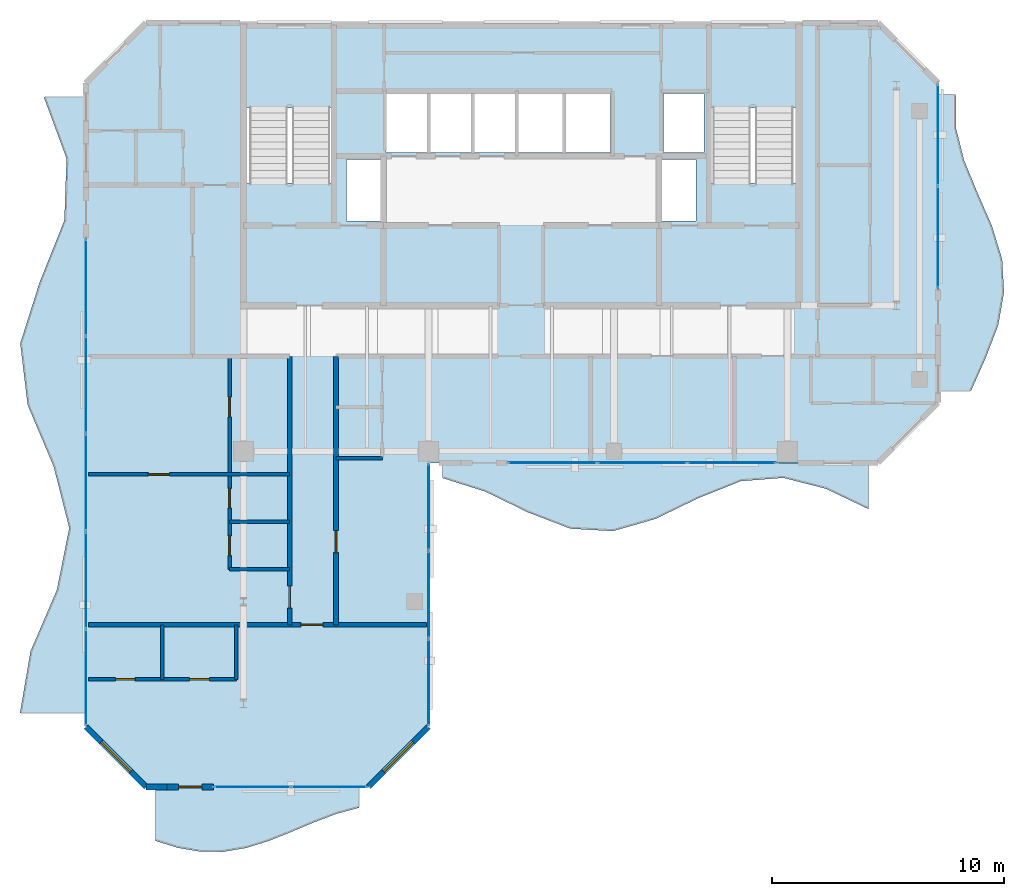
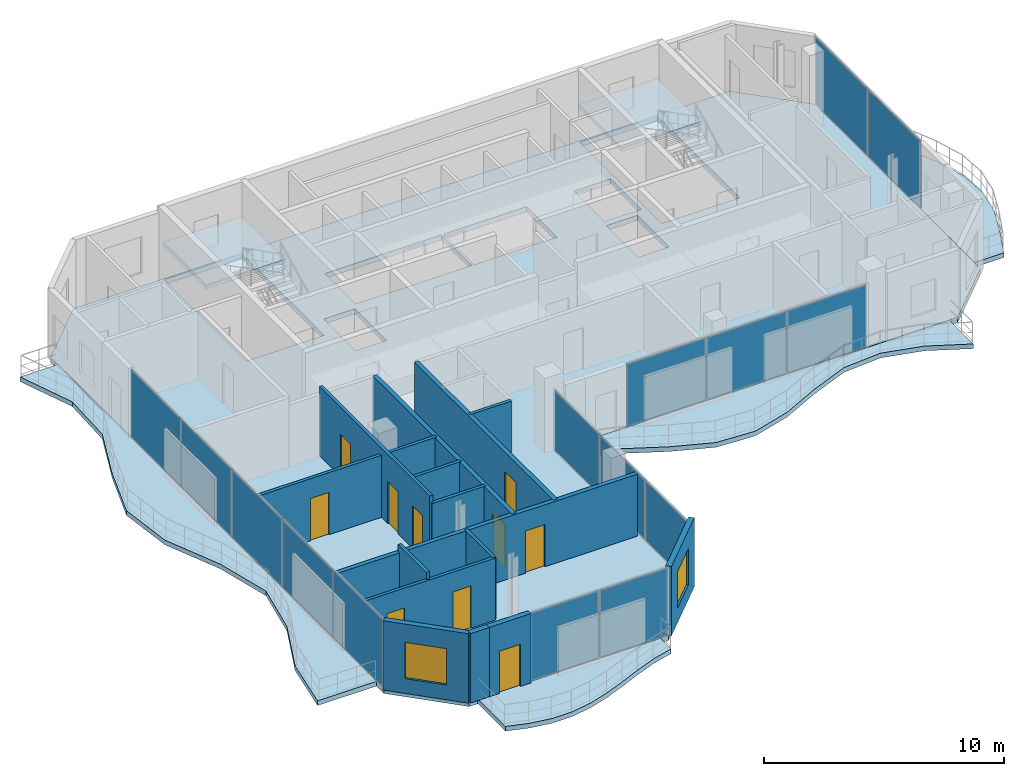
# One storey, part 12 of 17: 15 plates, 15 walls, 10 doors, 7 slabs, 2 windows, 12 openings, 7 elements without a shape of their own.
"""IFC4 building model written with IfcOpenShell, lengths in metres."""

from ifc_helpers import new_model, si_unit, direction, frame, frame_2d, origin, origin_2d, place, context, subcontext, project, spatial, polyline, rectangle, outline, extrude, material, layer, layer_set, type_object, element, fill, aggregate, save


model = new_model("IFC4")

# Units and contexts
model_context = context("Model", 3, precision=1e-05, world=origin(), true_north=direction((0.0, 1.0)))
body_context = subcontext(model_context, "Body", "Model", "MODEL_VIEW")
ifc_project = project(units=[si_unit("LENGTHUNIT", "METRE"), si_unit("AREAUNIT", "SQUARE_METRE"), si_unit("VOLUMEUNIT", "CUBIC_METRE"), si_unit("PLANEANGLEUNIT", "RADIAN"), si_unit("MASSUNIT", "GRAM", prefix="KILO")], contexts=[model_context])

# Site, building, storey
site_placement = place(None, origin())
site = spatial("IfcSite", under=ifc_project, at=site_placement, CompositionType="ELEMENT")
building_placement = place(site_placement, origin())
building = spatial("IfcBuilding", under=site, at=building_placement, Name="Catumbela Crestline Tower", CompositionType="ELEMENT")
storey_placement = place(building_placement, frame((0.0, 0.0, 267.8)))
storey = spatial("IfcBuildingStorey", under=building, at=storey_placement, Name="L69", CompositionType="ELEMENT", Elevation=267.8)

# Curtain wall, plates
ifc_material_1 = material(Name="Aluminium alloy AW-6060-T66", Category="aluminium")
ifc_layer_1 = layer(ifc_material_1, 0.18, Name="Aluminium alloy AW-6060-T66")
ifc_layer_set_1 = layer_set([ifc_layer_1], Name="Aluminium alloy AW-6060-T66")
curtain_wall_type = type_object("IfcCurtainWallType", Name="CWU-Z4", PredefinedType="USERDEFINED", material=ifc_layer_set_1)
curtain_wall_1_placement = place(storey_placement, origin())
curtain_wall_1 = element("IfcCurtainWall", 1, at=curtain_wall_1_placement, inside=storey, type_object=curtain_wall_type, Name="L69 Unitised Curtain Wall CW-L69-E0S2", ObjectType="UNITISED", PredefinedType="USERDEFINED")
ifc_material_2 = material(Name="Low-E laminated solar-control double glazing", Category="glass")
ifc_layer_2 = layer(ifc_material_2, 0.036, Name="Low-E laminated solar-control double glazing")
ifc_layer_set_2 = layer_set([ifc_layer_2], Name="Low-E laminated solar-control double glazing")
plate_type = type_object("IfcPlateType", Name="PNL-GLZ-Z4", PredefinedType="CURTAIN_PANEL", material=ifc_layer_set_2)
plate_1_placement = place(storey_placement, frame((16.3912, 10.0, 0.06), z_axis=(0.0, 0.0, 1.0), x_axis=(1.0, 0.0, 0.0)))
plate_1 = element("IfcPlate", 2, at=plate_1_placement, type_object=plate_type, Name="CWU-Z4 panel 1.1", PredefinedType="CURTAIN_PANEL", context=body_context, shape_type="SweptSolid", body=[
    extrude(rectangle(XDim=3.2525, YDim=0.034, at=origin_2d()), origin(), (0.0, 0.0, 1.0), 3.41),
])
plate_2_placement = place(storey_placement, frame((19.7087, 10.0, 0.06), z_axis=(0.0, 0.0, 1.0), x_axis=(1.0, 0.0, 0.0)))
plate_2 = element("IfcPlate", 3, at=plate_2_placement, type_object=plate_type, Name="CWU-Z4 panel 2.1", PredefinedType="CURTAIN_PANEL", context=body_context, shape_type="SweptSolid", body=[
    extrude(rectangle(XDim=3.2525, YDim=0.034, at=origin_2d()), origin(), (0.0, 0.0, 1.0), 3.41),
])
aggregate(curtain_wall_1, [plate_1, plate_2])

curtain_wall_2_placement = place(storey_placement, origin())
curtain_wall_2 = element("IfcCurtainWall", 4, at=curtain_wall_2_placement, inside=storey, type_object=curtain_wall_type, Name="L69 Unitised Curtain Wall CW-L69-E2S1", ObjectType="UNITISED", PredefinedType="USERDEFINED")
plate_3_placement = place(storey_placement, frame((24.0, 14.5162, 0.06), z_axis=(0.0, 0.0, 1.0), x_axis=(0.0, 1.0, 0.0)))
plate_3 = element("IfcPlate", 5, at=plate_3_placement, type_object=plate_type, Name="CWU-Z4 panel 1.1", PredefinedType="CURTAIN_PANEL", context=body_context, shape_type="SweptSolid", body=[
    extrude(rectangle(XDim=3.7025, YDim=0.034, at=origin_2d()), origin(), (0.0, 0.0, 1.0), 3.04),
])
plate_4_placement = place(storey_placement, frame((24.0, 18.3, 0.06), z_axis=(0.0, 0.0, 1.0), x_axis=(0.0, 1.0, 0.0)))
plate_4 = element("IfcPlate", 6, at=plate_4_placement, type_object=plate_type, Name="CWU-Z4 panel 2.1", PredefinedType="CURTAIN_PANEL", context=body_context, shape_type="SweptSolid", body=[
    extrude(rectangle(XDim=3.735, YDim=0.034, at=origin_2d()), origin(), (0.0, 0.0, 1.0), 3.04),
])
plate_5_placement = place(storey_placement, frame((24.0, 22.0837, 0.06), z_axis=(0.0, 0.0, 1.0), x_axis=(0.0, 1.0, 0.0)))
plate_5 = element("IfcPlate", 7, at=plate_5_placement, type_object=plate_type, Name="CWU-Z4 panel 3.1", PredefinedType="CURTAIN_PANEL", context=body_context, shape_type="SweptSolid", body=[
    extrude(rectangle(XDim=3.7025, YDim=0.034, at=origin_2d()), origin(), (0.0, 0.0, 1.0), 3.04),
])
aggregate(curtain_wall_2, [plate_3, plate_4, plate_5])

curtain_wall_3_placement = place(storey_placement, origin())
curtain_wall_3 = element("IfcCurtainWall", 8, at=curtain_wall_3_placement, inside=storey, type_object=curtain_wall_type, Name="L69 Unitised Curtain Wall CW-L69-E3S2", ObjectType="UNITISED", PredefinedType="USERDEFINED")
plate_6_placement = place(storey_placement, frame((29.3579, 24.0, 0.06), z_axis=(0.0, 0.0, 1.0), x_axis=(1.0, 0.0, 0.0)))
plate_6 = element("IfcPlate", 9, at=plate_6_placement, type_object=plate_type, Name="CWU-Z4 panel 1.1", PredefinedType="CURTAIN_PANEL", context=body_context, shape_type="SweptSolid", body=[
    extrude(rectangle(XDim=3.7858, YDim=0.034, at=origin_2d()), origin(), (0.0, 0.0, 1.0), 3.15),
])
plate_7_placement = place(storey_placement, frame((33.225, 24.0, 0.06), z_axis=(0.0, 0.0, 1.0), x_axis=(1.0, 0.0, 0.0)))
plate_7 = element("IfcPlate", 10, at=plate_7_placement, type_object=plate_type, Name="CWU-Z4 panel 2.1", PredefinedType="CURTAIN_PANEL", context=body_context, shape_type="SweptSolid", body=[
    extrude(rectangle(XDim=3.8183, YDim=0.034, at=origin_2d()), origin(), (0.0, 0.0, 1.0), 3.15),
])
plate_8_placement = place(storey_placement, frame((37.0921, 24.0, 0.06), z_axis=(0.0, 0.0, 1.0), x_axis=(1.0, 0.0, 0.0)))
plate_8 = element("IfcPlate", 11, at=plate_8_placement, type_object=plate_type, Name="CWU-Z4 panel 3.1", PredefinedType="CURTAIN_PANEL", context=body_context, shape_type="SweptSolid", body=[
    extrude(rectangle(XDim=3.7858, YDim=0.034, at=origin_2d()), origin(), (0.0, 0.0, 1.0), 3.15),
])
aggregate(curtain_wall_3, [plate_6, plate_7, plate_8])

curtain_wall_4_placement = place(storey_placement, origin())
curtain_wall_4 = element("IfcCurtainWall", 12, at=curtain_wall_4_placement, inside=storey, type_object=curtain_wall_type, Name="L69 Unitised Curtain Wall CW-L69-E5S2", ObjectType="UNITISED", PredefinedType="USERDEFINED")
plate_9_placement = place(storey_placement, frame((46.0, 33.7412, 0.06), z_axis=(0.0, 0.0, 1.0), x_axis=(0.0, 1.0, 0.0)))
plate_9 = element("IfcPlate", 13, at=plate_9_placement, type_object=plate_type, Name="CWU-Z4 panel 1.1", PredefinedType="CURTAIN_PANEL", context=body_context, shape_type="SweptSolid", body=[
    extrude(rectangle(XDim=4.3525, YDim=0.034, at=origin_2d()), origin(), (0.0, 0.0, 1.0), 3.41),
])
plate_10_placement = place(storey_placement, frame((46.0, 38.1588, 0.06), z_axis=(0.0, 0.0, 1.0), x_axis=(0.0, 1.0, 0.0)))
plate_10 = element("IfcPlate", 14, at=plate_10_placement, type_object=plate_type, Name="CWU-Z4 panel 2.1", PredefinedType="CURTAIN_PANEL", context=body_context, shape_type="SweptSolid", body=[
    extrude(rectangle(XDim=4.3525, YDim=0.034, at=origin_2d()), origin(), (0.0, 0.0, 1.0), 3.41),
])
aggregate(curtain_wall_4, [plate_9, plate_10])

curtain_wall_5_placement = place(storey_placement, origin())
curtain_wall_5 = element("IfcCurtainWall", 15, at=curtain_wall_5_placement, inside=storey, type_object=curtain_wall_type, Name="L69 Unitised Curtain Wall CW-L69-E9S2", ObjectType="UNITISED", PredefinedType="USERDEFINED")
plate_11_placement = place(storey_placement, frame((9.2, 31.5738, 0.06), z_axis=(0.0, 0.0, 1.0), x_axis=(0.0, -1.0, 0.0)))
plate_11 = element("IfcPlate", 16, at=plate_11_placement, type_object=plate_type, Name="CWU-Z4 panel 1.1", PredefinedType="CURTAIN_PANEL", context=body_context, shape_type="SweptSolid", body=[
    extrude(rectangle(XDim=4.1225, YDim=0.034, at=origin_2d()), origin(), (0.0, 0.0, 1.0), 3.41),
])
plate_12_placement = place(storey_placement, frame((9.2, 27.37, 0.06), z_axis=(0.0, 0.0, 1.0), x_axis=(0.0, -1.0, 0.0)))
plate_12 = element("IfcPlate", 17, at=plate_12_placement, type_object=plate_type, Name="CWU-Z4 panel 2.1", PredefinedType="CURTAIN_PANEL", context=body_context, shape_type="SweptSolid", body=[
    extrude(rectangle(XDim=4.155, YDim=0.034, at=origin_2d()), origin(), (0.0, 0.0, 1.0), 3.41),
])
plate_13_placement = place(storey_placement, frame((9.2, 23.15, 0.06), z_axis=(0.0, 0.0, 1.0), x_axis=(0.0, -1.0, 0.0)))
plate_13 = element("IfcPlate", 18, at=plate_13_placement, type_object=plate_type, Name="CWU-Z4 panel 3.1", PredefinedType="CURTAIN_PANEL", context=body_context, shape_type="SweptSolid", body=[
    extrude(rectangle(XDim=4.155, YDim=0.034, at=origin_2d()), origin(), (0.0, 0.0, 1.0), 3.41),
])
plate_14_placement = place(storey_placement, frame((9.2, 18.93, 0.06), z_axis=(0.0, 0.0, 1.0), x_axis=(0.0, -1.0, 0.0)))
plate_14 = element("IfcPlate", 19, at=plate_14_placement, type_object=plate_type, Name="CWU-Z4 panel 4.1", PredefinedType="CURTAIN_PANEL", context=body_context, shape_type="SweptSolid", body=[
    extrude(rectangle(XDim=4.155, YDim=0.034, at=origin_2d()), origin(), (0.0, 0.0, 1.0), 3.41),
])
plate_15_placement = place(storey_placement, frame((9.2, 14.7262, 0.06), z_axis=(0.0, 0.0, 1.0), x_axis=(0.0, -1.0, 0.0)))
plate_15 = element("IfcPlate", 20, at=plate_15_placement, type_object=plate_type, Name="CWU-Z4 panel 5.1", PredefinedType="CURTAIN_PANEL", context=body_context, shape_type="SweptSolid", body=[
    extrude(rectangle(XDim=4.1225, YDim=0.034, at=origin_2d()), origin(), (0.0, 0.0, 1.0), 3.41),
])
aggregate(curtain_wall_5, [plate_11, plate_12, plate_13, plate_14, plate_15])

# Stair, slab
ifc_material_3 = material(Name="Concrete C45/55", Category="concrete")
stair_type = type_object("IfcStairType", Name="ST-DLG", PredefinedType="HALF_TURN_STAIR", material=ifc_material_3)
stair_1_placement = place(storey_placement, origin())
stair_1 = element("IfcStair", 21, at=stair_1_placement, inside=storey, type_object=stair_type, Name="L69 West Core Pressurised Exit Stair ST-01", PredefinedType="HALF_TURN_STAIR")
ifc_layer_3 = layer(ifc_material_3, 0.2, Name="Concrete C45/55")
ifc_layer_set_3 = layer_set([ifc_layer_3], Name="Concrete C45/55")
slab_type_1 = type_object("IfcSlabType", Name="SL-LND", PredefinedType="LANDING", material=ifc_layer_set_3)
slab_1_placement = place(storey_placement, frame((0.0, 0.0, 1.7)))
slab_1 = element("IfcSlab", 22, at=slab_1_placement, type_object=slab_type_1, Name="ST-01 landing 1", PredefinedType="LANDING", context=body_context, shape_type="SweptSolid", body=[
    extrude(outline(polyline([(19.91, 39.33), (19.91, 42.96), (16.09, 42.96), (16.09, 39.33), (19.91, 39.33)])), origin(), (0.0, 0.0, 1.0), 0.2),
])
aggregate(stair_1, [slab_1])

stair_2_placement = place(storey_placement, origin())
stair_2 = element("IfcStair", 23, at=stair_2_placement, inside=storey, type_object=stair_type, Name="L69 East Core Pressurised Exit Stair ST-02", PredefinedType="HALF_TURN_STAIR")
slab_2_placement = place(storey_placement, frame((0.0, 0.0, 1.7)))
slab_2 = element("IfcSlab", 24, at=slab_2_placement, type_object=slab_type_1, Name="ST-02 landing 1", PredefinedType="LANDING", context=body_context, shape_type="SweptSolid", body=[
    extrude(outline(polyline([(39.91, 39.33), (39.91, 42.96), (36.09, 42.96), (36.09, 39.33), (39.91, 39.33)])), origin(), (0.0, 0.0, 1.0), 0.2),
])
aggregate(stair_2, [slab_2])

# Slabs
ifc_layer_4 = layer(ifc_material_3, 0.26, Name="Concrete C45/55")
ifc_layer_set_4 = layer_set([ifc_layer_4], Name="Concrete C45/55")
slab_type_2 = type_object("IfcSlabType", Name="SL-260", PredefinedType="FLOOR", material=ifc_layer_set_4)
slab_3_placement = place(storey_placement, frame((0.0, 0.0, -0.26)))
element("IfcSlab", 25, at=slab_3_placement, inside=storey, type_object=slab_type_2, Name="L69 Structural Floor Slab", PredefinedType="FLOOR", context=body_context, shape_type="SweptSolid", body=[
    extrude(outline(polyline([(11.8, 10.0), (21.4, 10.0), (24.0, 12.6), (24.0, 24.0), (43.4, 24.0), (46.0, 26.6), (46.0, 40.4), (43.4, 43.0), (11.8, 43.0), (9.2, 40.4), (9.2, 12.6), (11.8, 10.0)]), holes=[polyline([(16.13, 36.08), (19.87, 36.08), (19.87, 42.92), (16.13, 42.92), (16.13, 36.08)]), polyline([(36.13, 36.08), (39.87, 36.08), (39.87, 42.92), (36.13, 42.92), (36.13, 36.08)]), polyline([(22.15, 37.4), (27.75, 37.4), (27.75, 39.95), (22.15, 39.95), (22.15, 37.4)]), polyline([(27.85, 37.4), (31.85, 37.4), (31.85, 39.95), (27.85, 39.95), (27.85, 37.4)]), polyline([(20.45, 34.45), (21.95, 34.45), (21.95, 37.1), (20.45, 37.1), (20.45, 34.45)]), polyline([(34.05, 34.45), (35.55, 34.45), (35.55, 37.1), (34.05, 37.1), (34.05, 34.45)]), polyline([(34.15, 37.4), (35.9, 37.4), (35.9, 39.95), (34.15, 39.95), (34.15, 37.4)])]), origin(), (0.0, 0.0, 1.0), 0.26),
])
ifc_layer_5 = layer(ifc_material_3, 0.24, Name="Concrete C45/55")
ifc_layer_set_5 = layer_set([ifc_layer_5], Name="Concrete C45/55")
slab_type_3 = type_object("IfcSlabType", Name="SB-240W", PredefinedType="USERDEFINED", material=ifc_layer_set_5)
slab_4_placement = place(storey_placement, frame((0.0, 0.0, -0.24)))
element("IfcSlab", 26, at=slab_4_placement, inside=storey, type_object=slab_type_3, Name="L69 Cantilevered Wave Balcony Slab SPINE-S", ObjectType="BALCONY", PredefinedType="USERDEFINED", context=body_context, shape_type="SweptSolid", body=[
    extrude(outline(polyline([(24.6, 23.3413), (26.44, 22.7604), (28.28, 21.8628), (30.12, 21.1558), (31.96, 21.05), (33.8, 21.5784), (35.64, 22.4691), (37.48, 23.2078), (39.32, 23.35), (41.16, 22.8807), (43.0, 21.9999), (43.0, 23.99), (24.6, 23.99), (24.6, 23.3413)])), origin(), (0.0, 0.0, 1.0), 0.24),
])
slab_5_placement = place(storey_placement, frame((0.0, 0.0, -0.24)))
element("IfcSlab", 27, at=slab_5_placement, inside=storey, type_object=slab_type_3, Name="L69 Cantilevered Wave Balcony Slab SPINE-E", ObjectType="BALCONY", PredefinedType="USERDEFINED", context=body_context, shape_type="SweptSolid", body=[
    extrude(outline(polyline([(46.01, 27.1), (47.4229, 27.1), (48.0558, 28.5222), (48.6005, 29.9444), (48.85, 31.3667), (48.7699, 32.7889), (48.3362, 34.2111), (47.7178, 35.6333), (47.1277, 37.0556), (46.7692, 38.4778), (46.7659, 39.9), (46.01, 39.9), (46.01, 27.1)])), origin(), (0.0, 0.0, 1.0), 0.24),
])
slab_6_placement = place(storey_placement, frame((0.0, 0.0, -0.24)))
element("IfcSlab", 28, at=slab_6_placement, inside=storey, type_object=slab_type_3, Name="L69 Cantilevered Wave Balcony Slab WING-S", ObjectType="BALCONY", PredefinedType="USERDEFINED", context=body_context, shape_type="SweptSolid", body=[
    extrude(outline(polyline([(12.2, 7.6726), (13.1778, 7.3686), (14.1556, 7.202), (15.1333, 7.2006), (16.1111, 7.3645), (17.0889, 7.6665), (18.0667, 8.0569), (19.0444, 8.4709), (20.0222, 8.84), (21.0, 9.1034), (21.0, 9.99), (12.2, 9.99), (12.2, 7.6726)])), origin(), (0.0, 0.0, 1.0), 0.24),
])
slab_7_placement = place(storey_placement, frame((0.0, 0.0, -0.24)))
element("IfcSlab", 29, at=slab_7_placement, inside=storey, type_object=slab_type_3, Name="L69 Cantilevered Wave Balcony Slab WEST", ObjectType="BALCONY", PredefinedType="USERDEFINED", context=body_context, shape_type="SweptSolid", body=[
    extrude(outline(polyline([(9.19, 39.8), (7.3793, 39.8), (8.3601, 37.14), (8.2673, 34.48), (7.2046, 31.82), (6.3605, 29.16), (6.6788, 26.5), (7.8036, 23.84), (8.4771, 21.18), (7.9462, 18.52), (6.8045, 15.86), (6.35, 13.2), (9.19, 13.2), (9.19, 39.8)])), origin(), (0.0, 0.0, 1.0), 0.24),
])

# Wall, opening, door
ifc_material_4 = material(Name="Acoustic gypsum and mineral-wool partition")
ifc_layer_6 = layer(ifc_material_4, 0.2, Name="Acoustic gypsum and mineral-wool partition")
ifc_layer_set_6 = layer_set([ifc_layer_6], Name="Acoustic gypsum and mineral-wool partition")
wall_type_1 = type_object("IfcWallType", Name="WC-200", PredefinedType="PARTITIONING", material=ifc_layer_set_6)
wall_1_placement = place(storey_placement, frame((18.0, 17.0, 0.0), z_axis=(0.0, 0.0, 1.0), x_axis=(0.0, 1.0, 0.0)))
wall_1 = element("IfcWall", 30, at=wall_1_placement, inside=storey, type_object=wall_type_1, Name="L69 Interior Partition PW-L69-WL1-ENT", PredefinedType="PARTITIONING", context=body_context, shape_type="SweptSolid", body=[
    extrude(rectangle(XDim=11.6, YDim=0.2, at=frame_2d((5.8, 0.0))), origin(), (0.0, 0.0, 1.0), 3.16),
])
opening_1_placement = place(wall_1_placement, frame((0.723, 0.0, 0.0)))
opening_1 = element("IfcOpeningElement", 31, at=opening_1_placement, cuts=wall_1, Name="Opening DF6-095", PredefinedType="OPENING", context=body_context, shape_type="SweptSolid", body=[
    extrude(rectangle(XDim=0.95, YDim=2.15, at=frame_2d((0.475, 1.075))), frame((0.0, 0.11, 0.0), z_axis=(0.0, -1.0, 0.0), x_axis=(1.0, 0.0, 0.0)), (0.0, 0.0, 1.0), 0.22),
])
door_type_1 = type_object("IfcDoorType", Name="DF6-095", OperationType="NOTDEFINED", PredefinedType="DOOR", material=ifc_material_1)
door_1_placement = place(opening_1_placement, origin())
door_1 = element("IfcDoor", 32, at=door_1_placement, inside=storey, type_object=door_type_1, Name="L69 Interior Door DR-L69-WL1-ENT", OperationType="SINGLE_SWING_LEFT", OverallHeight=2.15, OverallWidth=0.95, PredefinedType="DOOR", context=body_context, shape_type="SweptSolid", body=[
    extrude(rectangle(XDim=0.95, YDim=2.15, at=frame_2d((0.475, 1.075))), frame((0.0, 0.025, 0.0), z_axis=(0.0, -1.0, 0.0), x_axis=(1.0, 0.0, 0.0)), (0.0, 0.0, 1.0), 0.05),
])
fill(opening_1, door_1)

wall_2_placement = place(storey_placement, frame((20.0, 17.0, 0.0), z_axis=(0.0, 0.0, 1.0), x_axis=(0.0, 1.0, 0.0)))
wall_2 = element("IfcWall", 33, at=wall_2_placement, inside=storey, type_object=wall_type_1, Name="L69 Interior Partition PW-L69-WR1-ENT", PredefinedType="PARTITIONING", context=body_context, shape_type="SweptSolid", body=[
    extrude(rectangle(XDim=11.6, YDim=0.2, at=frame_2d((5.8, 0.0))), origin(), (0.0, 0.0, 1.0), 3.16),
])
opening_2_placement = place(wall_2_placement, frame((3.125, 0.0, 0.0)))
opening_2 = element("IfcOpeningElement", 34, at=opening_2_placement, cuts=wall_2, Name="Opening DF6-095", PredefinedType="OPENING", context=body_context, shape_type="SweptSolid", body=[
    extrude(rectangle(XDim=0.95, YDim=2.15, at=frame_2d((0.475, 1.075))), frame((0.0, 0.11, 0.0), z_axis=(0.0, -1.0, 0.0), x_axis=(1.0, 0.0, 0.0)), (0.0, 0.0, 1.0), 0.22),
])
door_2_placement = place(opening_2_placement, origin())
door_2 = element("IfcDoor", 35, at=door_2_placement, inside=storey, type_object=door_type_1, Name="L69 Interior Door DR-L69-WR1-ENT", OperationType="SINGLE_SWING_LEFT", OverallHeight=2.15, OverallWidth=0.95, PredefinedType="DOOR", context=body_context, shape_type="SweptSolid", body=[
    extrude(rectangle(XDim=0.95, YDim=2.15, at=frame_2d((0.475, 1.075))), frame((0.0, 0.025, 0.0), z_axis=(0.0, -1.0, 0.0), x_axis=(1.0, 0.0, 0.0)), (0.0, 0.0, 1.0), 0.05),
])
fill(opening_2, door_2)

ifc_material_5 = material(Name="Angolan grey-ochre granite", Category="masonry")
ifc_layer_7 = layer(ifc_material_5, 0.25, Name="Angolan grey-ochre granite")
ifc_layer_set_7 = layer_set([ifc_layer_7], Name="Angolan grey-ochre granite")
wall_type_2 = type_object("IfcWallType", Name="WE-250", PredefinedType="STANDARD", material=ifc_layer_set_7)
wall_3_placement = place(storey_placement, frame((12.7, 10.0, 0.0), z_axis=(0.0, 0.0, 1.0), x_axis=(1.0, 0.0, 0.0)))
wall_3 = element("IfcWall", 36, at=wall_3_placement, inside=storey, type_object=wall_type_2, Name="L69 Exterior Threshold Portal Wall DR-L69-WBAL-3", PredefinedType="STANDARD", context=body_context, shape_type="SweptSolid", body=[
    extrude(rectangle(XDim=2.0, YDim=0.25, at=frame_2d((1.0, 0.0))), origin(), (0.0, 0.0, 1.0), 3.53),
])
opening_3_placement = place(wall_3_placement, frame((0.5, 0.0, 0.0)))
opening_3 = element("IfcOpeningElement", 37, at=opening_3_placement, cuts=wall_3, Name="Opening DB-L69-3", PredefinedType="OPENING", context=body_context, shape_type="SweptSolid", body=[
    extrude(rectangle(XDim=1.0, YDim=2.15, at=frame_2d((0.5, 1.075))), frame((0.0, 0.135, 0.0), z_axis=(0.0, -1.0, 0.0), x_axis=(1.0, 0.0, 0.0)), (0.0, 0.0, 1.0), 0.27),
])
door_type_2 = type_object("IfcDoorType", Name="DB-1000", OperationType="NOTDEFINED", PredefinedType="DOOR", material=ifc_material_1)
door_3_placement = place(opening_3_placement, origin())
door_3 = element("IfcDoor", 38, at=door_3_placement, inside=storey, type_object=door_type_2, Name="L69 Wave Balcony Terrace Door 3", OperationType="SINGLE_SWING_LEFT", OverallHeight=2.15, OverallWidth=1.0, PredefinedType="DOOR", context=body_context, shape_type="SweptSolid", body=[
    extrude(rectangle(XDim=1.0, YDim=2.15, at=frame_2d((0.5, 1.075))), frame((0.0, 0.025, 0.0), z_axis=(0.0, -1.0, 0.0), x_axis=(1.0, 0.0, 0.0)), (0.0, 0.0, 1.0), 0.05),
])
fill(opening_3, door_3)

# Wall
wall_4_placement = place(storey_placement, frame((11.8, 10.0, 0.0), z_axis=(0.0, 0.0, 1.0), x_axis=(1.0, 0.0, 0.0)))
element("IfcWall", 39, at=wall_4_placement, inside=storey, type_object=wall_type_2, Name="L69 Granite Punched Window Wall 0-1", PredefinedType="STANDARD", context=body_context, shape_type="SweptSolid", body=[
    extrude(rectangle(XDim=0.9, YDim=0.25, at=frame_2d((0.45, 0.0))), origin(), (0.0, 0.0, 1.0), 3.53),
])

# Wall, opening, window
wall_5_placement = place(storey_placement, frame((21.4, 10.0, 0.0), z_axis=(0.0, 0.0, 1.0), x_axis=(0.707106781187, 0.707106781187, 0.0)))
wall_5 = element("IfcWall", 40, at=wall_5_placement, inside=storey, type_object=wall_type_2, Name="L69 Granite Punched Window Wall 1-1", PredefinedType="STANDARD", context=body_context, shape_type="SweptSolid", body=[
    extrude(rectangle(XDim=3.677, YDim=0.25, at=frame_2d((1.8385, 0.0))), origin(), (0.0, 0.0, 1.0), 3.53),
])
opening_4_placement = place(wall_5_placement, frame((0.9385, 0.0, 0.75)))
opening_4 = element("IfcOpeningElement", 41, at=opening_4_placement, cuts=wall_5, Name="Opening WN-01", PredefinedType="OPENING", context=body_context, shape_type="SweptSolid", body=[
    extrude(rectangle(XDim=1.8, YDim=1.85, at=frame_2d((0.9, 0.925))), frame((0.0, 0.135, 0.0), z_axis=(0.0, -1.0, 0.0), x_axis=(1.0, 0.0, 0.0)), (0.0, 0.0, 1.0), 0.27),
])
window_type = type_object("IfcWindowType", Name="WF-1800", PartitioningType="SINGLE_PANEL", PredefinedType="WINDOW", material=ifc_material_2)
window_1_placement = place(opening_4_placement, origin())
window_1 = element("IfcWindow", 42, at=window_1_placement, inside=storey, type_object=window_type, Name="L69 Facade Vision Window 541", OverallHeight=1.85, OverallWidth=1.8, PartitioningType="SINGLE_PANEL", PredefinedType="WINDOW", context=body_context, shape_type="SweptSolid", body=[
    extrude(rectangle(XDim=1.8, YDim=1.85, at=frame_2d((0.9, 0.925))), frame((0.0, 0.03, 0.0), z_axis=(0.0, -1.0, 0.0), x_axis=(1.0, 0.0, 0.0)), (0.0, 0.0, 1.0), 0.06),
])
fill(opening_4, window_1)

wall_6_placement = place(storey_placement, frame((9.2, 12.6, 0.0), z_axis=(0.0, 0.0, 1.0), x_axis=(0.707106781187, -0.707106781187, 0.0)))
wall_6 = element("IfcWall", 43, at=wall_6_placement, inside=storey, type_object=wall_type_2, Name="L69 Granite Punched Window Wall 10-1", PredefinedType="STANDARD", context=body_context, shape_type="SweptSolid", body=[
    extrude(rectangle(XDim=3.677, YDim=0.25, at=frame_2d((1.8385, 0.0))), origin(), (0.0, 0.0, 1.0), 3.53),
])
opening_5_placement = place(wall_6_placement, frame((0.9385, 0.0, 0.75)))
opening_5 = element("IfcOpeningElement", 44, at=opening_5_placement, cuts=wall_6, Name="Opening WN-01", PredefinedType="OPENING", context=body_context, shape_type="SweptSolid", body=[
    extrude(rectangle(XDim=1.8, YDim=1.85, at=frame_2d((0.9, 0.925))), frame((0.0, 0.135, 0.0), z_axis=(0.0, -1.0, 0.0), x_axis=(1.0, 0.0, 0.0)), (0.0, 0.0, 1.0), 0.27),
])
window_2_placement = place(opening_5_placement, origin())
window_2 = element("IfcWindow", 45, at=window_2_placement, inside=storey, type_object=window_type, Name="L69 Facade Vision Window 551", OverallHeight=1.85, OverallWidth=1.8, PartitioningType="SINGLE_PANEL", PredefinedType="WINDOW", context=body_context, shape_type="SweptSolid", body=[
    extrude(rectangle(XDim=1.8, YDim=1.85, at=frame_2d((0.9, 0.925))), frame((0.0, 0.03, 0.0), z_axis=(0.0, -1.0, 0.0), x_axis=(1.0, 0.0, 0.0)), (0.0, 0.0, 1.0), 0.06),
])
fill(opening_5, window_2)

# Walls
ifc_layer_8 = layer(ifc_material_4, 0.15, Name="Acoustic gypsum and mineral-wool partition")
ifc_layer_set_8 = layer_set([ifc_layer_8], Name="Acoustic gypsum and mineral-wool partition")
wall_type_3 = type_object("IfcWallType", Name="WP-150", PredefinedType="PARTITIONING", material=ifc_layer_set_8)
for number, where, z_axis, x_axis, name in (
    (46, (15.4, 19.396, 0.0), (0.0, 0.0, 1.0), (1.0, 0.0, 0.0), "L69 Interior Partition PW-L69-WL1-KBS"),
    (47, (15.4, 21.446, 0.0), (0.0, 0.0, 1.0), (1.0, 0.0, 0.0), "L69 Interior Partition PW-L69-WL1-KBM"),
):
    element("IfcWall", number, at=place(storey_placement, frame(where, z_axis=z_axis, x_axis=x_axis)), inside=storey, type_object=wall_type_3, Name=name, PredefinedType="PARTITIONING", context=body_context, shape_type="SweptSolid", body=[
        extrude(rectangle(XDim=2.6, YDim=0.15, at=frame_2d((1.3, 0.0))), origin(), (0.0, 0.0, 1.0), 3.16),
    ])

# Wall, opening, door
wall_7_placement = place(storey_placement, frame((9.3, 23.496, 0.0), z_axis=(0.0, 0.0, 1.0), x_axis=(1.0, 0.0, 0.0)))
wall_7 = element("IfcWall", 48, at=wall_7_placement, inside=storey, type_object=wall_type_3, Name="L69 Interior Partition PW-L69-WL1-KBN", PredefinedType="PARTITIONING", context=body_context, shape_type="SweptSolid", body=[
    extrude(rectangle(XDim=8.7, YDim=0.15, at=frame_2d((4.35, 0.0))), origin(), (0.0, 0.0, 1.0), 3.16),
])
opening_6_placement = place(wall_7_placement, frame((2.6, 0.0, 0.0)))
opening_6 = element("IfcOpeningElement", 49, at=opening_6_placement, cuts=wall_7, Name="Opening DI-090", PredefinedType="OPENING", context=body_context, shape_type="SweptSolid", body=[
    extrude(rectangle(XDim=0.9, YDim=2.15, at=frame_2d((0.45, 1.075))), frame((0.0, 0.085, 0.0), z_axis=(0.0, -1.0, 0.0), x_axis=(1.0, 0.0, 0.0)), (0.0, 0.0, 1.0), 0.17),
])
door_type_3 = type_object("IfcDoorType", Name="DI-090", OperationType="NOTDEFINED", PredefinedType="DOOR", material=ifc_material_1)
door_4_placement = place(opening_6_placement, origin())
door_4 = element("IfcDoor", 50, at=door_4_placement, inside=storey, type_object=door_type_3, Name="L69 Interior Door DR-L69-WL1-BD1", OperationType="SINGLE_SWING_LEFT", OverallHeight=2.15, OverallWidth=0.9, PredefinedType="DOOR", context=body_context, shape_type="SweptSolid", body=[
    extrude(rectangle(XDim=0.9, YDim=2.15, at=frame_2d((0.45, 1.075))), frame((0.0, 0.025, 0.0), z_axis=(0.0, -1.0, 0.0), x_axis=(1.0, 0.0, 0.0)), (0.0, 0.0, 1.0), 0.05),
])
fill(opening_6, door_4)

# Wall, openings, doors
wall_8_placement = place(storey_placement, frame((15.4, 19.396, 0.0), z_axis=(0.0, 0.0, 1.0), x_axis=(0.0, 1.0, 0.0)))
wall_8 = element("IfcWall", 51, at=wall_8_placement, inside=storey, type_object=wall_type_3, Name="L69 Interior Partition PW-L69-WL1-LK", PredefinedType="PARTITIONING", context=body_context, shape_type="SweptSolid", body=[
    extrude(rectangle(XDim=9.204, YDim=0.15, at=frame_2d((4.602, 0.0))), origin(), (0.0, 0.0, 1.0), 3.53),
])
opening_7_placement = place(wall_8_placement, frame((0.6, 0.0, 0.0)))
opening_7 = element("IfcOpeningElement", 52, at=opening_7_placement, cuts=wall_8, Name="Opening DI-085", PredefinedType="OPENING", context=body_context, shape_type="SweptSolid", body=[
    extrude(rectangle(XDim=0.85, YDim=2.15, at=frame_2d((0.425, 1.075))), frame((0.0, 0.085, 0.0), z_axis=(0.0, -1.0, 0.0), x_axis=(1.0, 0.0, 0.0)), (0.0, 0.0, 1.0), 0.17),
])
opening_8_placement = place(wall_8_placement, frame((2.65, 0.0, 0.0)))
opening_8 = element("IfcOpeningElement", 53, at=opening_8_placement, cuts=wall_8, Name="Opening DI-085", PredefinedType="OPENING", context=body_context, shape_type="SweptSolid", body=[
    extrude(rectangle(XDim=0.85, YDim=2.15, at=frame_2d((0.425, 1.075))), frame((0.0, 0.085, 0.0), z_axis=(0.0, -1.0, 0.0), x_axis=(1.0, 0.0, 0.0)), (0.0, 0.0, 1.0), 0.17),
])
opening_9_placement = place(wall_8_placement, frame((6.5927, 0.0, 0.0)))
opening_9 = element("IfcOpeningElement", 54, at=opening_9_placement, cuts=wall_8, Name="Opening DI-085", PredefinedType="OPENING", context=body_context, shape_type="SweptSolid", body=[
    extrude(rectangle(XDim=0.85, YDim=2.15, at=frame_2d((0.425, 1.075))), frame((0.0, 0.085, 0.0), z_axis=(0.0, -1.0, 0.0), x_axis=(1.0, 0.0, 0.0)), (0.0, 0.0, 1.0), 0.17),
])
door_type_4 = type_object("IfcDoorType", Name="DI-085", OperationType="NOTDEFINED", PredefinedType="DOOR", material=ifc_material_1)
door_5_placement = place(opening_7_placement, origin())
door_5 = element("IfcDoor", 55, at=door_5_placement, inside=storey, type_object=door_type_4, Name="L69 Interior Door DR-L69-WL1-KIT", OperationType="SINGLE_SWING_LEFT", OverallHeight=2.15, OverallWidth=0.85, PredefinedType="DOOR", context=body_context, shape_type="SweptSolid", body=[
    extrude(rectangle(XDim=0.85, YDim=2.15, at=frame_2d((0.425, 1.075))), frame((0.0, 0.025, 0.0), z_axis=(0.0, -1.0, 0.0), x_axis=(1.0, 0.0, 0.0)), (0.0, 0.0, 1.0), 0.05),
])
fill(opening_7, door_5)
door_6_placement = place(opening_8_placement, origin())
door_6 = element("IfcDoor", 56, at=door_6_placement, inside=storey, type_object=door_type_4, Name="L69 Interior Door DR-L69-WL1-BTH", OperationType="SINGLE_SWING_RIGHT", OverallHeight=2.15, OverallWidth=0.85, PredefinedType="DOOR", context=body_context, shape_type="SweptSolid", body=[
    extrude(rectangle(XDim=0.85, YDim=2.15, at=frame_2d((0.425, 1.075))), frame((0.0, 0.025, 0.0), z_axis=(0.0, -1.0, 0.0), x_axis=(1.0, 0.0, 0.0)), (0.0, 0.0, 1.0), 0.05),
])
fill(opening_8, door_6)
door_7_placement = place(opening_9_placement, origin())
door_7 = element("IfcDoor", 57, at=door_7_placement, inside=storey, type_object=door_type_4, Name="L69 Interior Door DR-L69-WL1-WIR", OperationType="SINGLE_SWING_LEFT", OverallHeight=2.15, OverallWidth=0.85, PredefinedType="DOOR", context=body_context, shape_type="SweptSolid", body=[
    extrude(rectangle(XDim=0.85, YDim=2.15, at=frame_2d((0.425, 1.075))), frame((0.0, 0.025, 0.0), z_axis=(0.0, -1.0, 0.0), x_axis=(1.0, 0.0, 0.0)), (0.0, 0.0, 1.0), 0.05),
])
fill(opening_9, door_7)

# Walls
wall_9_placement = place(storey_placement, frame((20.0, 24.2, 0.0), z_axis=(0.0, 0.0, 1.0), x_axis=(1.0, 0.0, 0.0)))
element("IfcWall", 58, at=wall_9_placement, inside=storey, type_object=wall_type_3, Name="L69 Interior Partition PW-L69-WR1-KBS", PredefinedType="PARTITIONING", context=body_context, shape_type="SweptSolid", body=[
    extrude(rectangle(XDim=2.0, YDim=0.15, at=frame_2d((1.0, 0.0))), origin(), (0.0, 0.0, 1.0), 3.16),
])
wall_10_placement = place(storey_placement, frame((15.7, 14.65, 0.0), z_axis=(0.0, 0.0, 1.0), x_axis=(0.0, 1.0, 0.0)))
element("IfcWall", 59, at=wall_10_placement, inside=storey, type_object=wall_type_3, Name="L69 Interior Partition PW-L69-SH1-KBE", PredefinedType="PARTITIONING", context=body_context, shape_type="SweptSolid", body=[
    extrude(rectangle(XDim=2.35, YDim=0.15, at=frame_2d((1.175, 0.0))), origin(), (0.0, 0.0, 1.0), 3.16),
])
wall_11_placement = place(storey_placement, frame((12.5, 14.65, 0.0), z_axis=(0.0, 0.0, 1.0), x_axis=(0.0, 1.0, 0.0)))
element("IfcWall", 60, at=wall_11_placement, inside=storey, type_object=wall_type_3, Name="L69 Interior Partition PW-L69-SH1-KBM", PredefinedType="PARTITIONING", context=body_context, shape_type="SweptSolid", body=[
    extrude(rectangle(XDim=2.35, YDim=0.15, at=frame_2d((1.175, 0.0))), origin(), (0.0, 0.0, 1.0), 3.53),
])

# Wall, openings, doors
wall_12_placement = place(storey_placement, frame((9.3, 14.65, 0.0), z_axis=(0.0, 0.0, 1.0), x_axis=(1.0, 0.0, 0.0)))
wall_12 = element("IfcWall", 61, at=wall_12_placement, inside=storey, type_object=wall_type_3, Name="L69 Interior Partition PW-L69-SH1-KBD1", PredefinedType="PARTITIONING", context=body_context, shape_type="SweptSolid", body=[
    extrude(rectangle(XDim=6.4, YDim=0.15, at=frame_2d((3.2, 0.0))), origin(), (0.0, 0.0, 1.0), 3.16),
])
opening_10_placement = place(wall_12_placement, frame((1.175, 0.0, 0.0)))
opening_10 = element("IfcOpeningElement", 62, at=opening_10_placement, cuts=wall_12, Name="Opening DI-085", PredefinedType="OPENING", context=body_context, shape_type="SweptSolid", body=[
    extrude(rectangle(XDim=0.85, YDim=2.15, at=frame_2d((0.425, 1.075))), frame((0.0, 0.085, 0.0), z_axis=(0.0, -1.0, 0.0), x_axis=(1.0, 0.0, 0.0)), (0.0, 0.0, 1.0), 0.17),
])
opening_11_placement = place(wall_12_placement, frame((4.375, 0.0, 0.0)))
opening_11 = element("IfcOpeningElement", 63, at=opening_11_placement, cuts=wall_12, Name="Opening DI-085", PredefinedType="OPENING", context=body_context, shape_type="SweptSolid", body=[
    extrude(rectangle(XDim=0.85, YDim=2.15, at=frame_2d((0.425, 1.075))), frame((0.0, 0.085, 0.0), z_axis=(0.0, -1.0, 0.0), x_axis=(1.0, 0.0, 0.0)), (0.0, 0.0, 1.0), 0.17),
])
door_8_placement = place(opening_10_placement, origin())
door_8 = element("IfcDoor", 64, at=door_8_placement, inside=storey, type_object=door_type_4, Name="L69 Interior Door DR-L69-SH1-KIT", OperationType="SINGLE_SWING_LEFT", OverallHeight=2.15, OverallWidth=0.85, PredefinedType="DOOR", context=body_context, shape_type="SweptSolid", body=[
    extrude(rectangle(XDim=0.85, YDim=2.15, at=frame_2d((0.425, 1.075))), frame((0.0, 0.025, 0.0), z_axis=(0.0, -1.0, 0.0), x_axis=(1.0, 0.0, 0.0)), (0.0, 0.0, 1.0), 0.05),
])
fill(opening_10, door_8)
door_9_placement = place(opening_11_placement, origin())
door_9 = element("IfcDoor", 65, at=door_9_placement, inside=storey, type_object=door_type_4, Name="L69 Interior Door DR-L69-SH1-BTH", OperationType="SINGLE_SWING_RIGHT", OverallHeight=2.15, OverallWidth=0.85, PredefinedType="DOOR", context=body_context, shape_type="SweptSolid", body=[
    extrude(rectangle(XDim=0.85, YDim=2.15, at=frame_2d((0.425, 1.075))), frame((0.0, 0.025, 0.0), z_axis=(0.0, -1.0, 0.0), x_axis=(1.0, 0.0, 0.0)), (0.0, 0.0, 1.0), 0.05),
])
fill(opening_11, door_9)

# Wall, opening, door
ifc_layer_9 = layer(ifc_material_4, 0.2, Name="Acoustic gypsum and mineral-wool partition")
ifc_layer_set_9 = layer_set([ifc_layer_9], Name="Acoustic gypsum and mineral-wool partition")
wall_type_4 = type_object("IfcWallType", Name="WY-200", PredefinedType="PARTITIONING", material=ifc_layer_set_9)
wall_13_placement = place(storey_placement, frame((9.3, 17.0, 0.0), z_axis=(0.0, 0.0, 1.0), x_axis=(1.0, 0.0, 0.0)))
wall_13 = element("IfcWall", 66, at=wall_13_placement, inside=storey, type_object=wall_type_4, Name="L69 Interior Partition PW-L69-SH-WL", PredefinedType="PARTITIONING", context=body_context, shape_type="SweptSolid", body=[
    extrude(rectangle(XDim=14.6, YDim=0.2, at=frame_2d((7.3, 0.0))), origin(), (0.0, 0.0, 1.0), 3.16),
])
opening_12_placement = place(wall_13_placement, frame((9.186, 0.0, 0.0)))
opening_12 = element("IfcOpeningElement", 67, at=opening_12_placement, cuts=wall_13, Name="Opening DF6-095", PredefinedType="OPENING", context=body_context, shape_type="SweptSolid", body=[
    extrude(rectangle(XDim=0.95, YDim=2.15, at=frame_2d((0.475, 1.075))), frame((0.0, 0.11, 0.0), z_axis=(0.0, -1.0, 0.0), x_axis=(1.0, 0.0, 0.0)), (0.0, 0.0, 1.0), 0.22),
])
door_10_placement = place(opening_12_placement, origin())
door_10 = element("IfcDoor", 68, at=door_10_placement, inside=storey, type_object=door_type_1, Name="L69 Interior Door DR-L69-SH1-ENT", OperationType="SINGLE_SWING_LEFT", OverallHeight=2.15, OverallWidth=0.95, PredefinedType="DOOR", context=body_context, shape_type="SweptSolid", body=[
    extrude(rectangle(XDim=0.95, YDim=2.15, at=frame_2d((0.475, 1.075))), frame((0.0, 0.025, 0.0), z_axis=(0.0, -1.0, 0.0), x_axis=(1.0, 0.0, 0.0)), (0.0, 0.0, 1.0), 0.05),
])
fill(opening_12, door_10)

save(model, "model.ifc")
